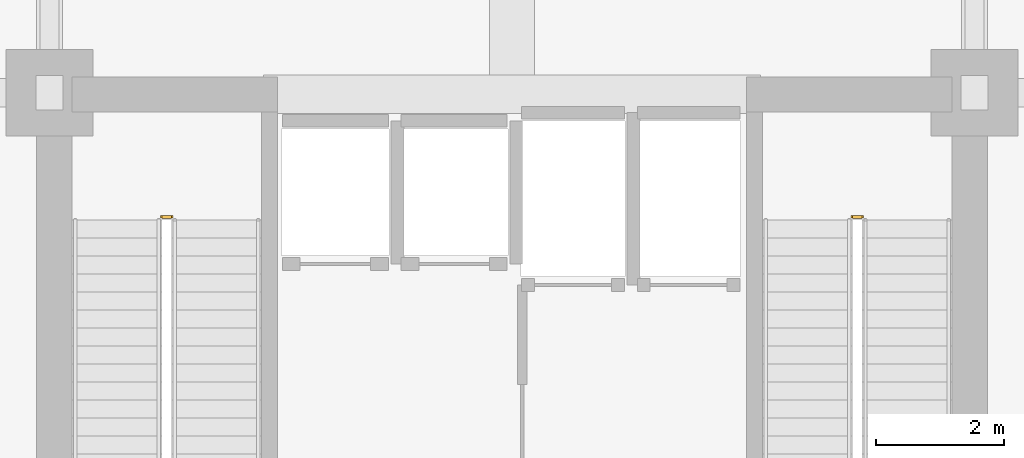
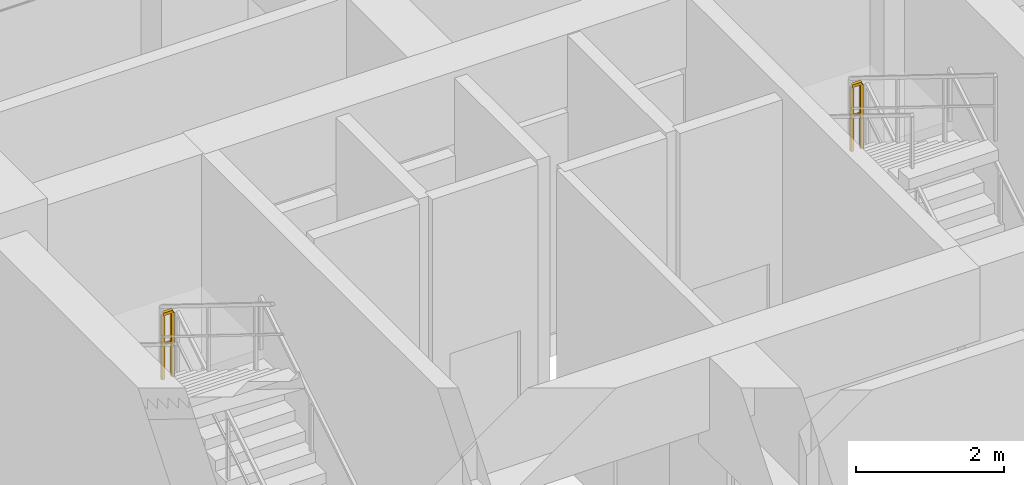
# One storey, part 8 of 8: 2 railings.
"""IFC4 building model written with IfcOpenShell, lengths in metres."""

from ifc_helpers import new_model, si_unit, direction, frame, origin, origin_2d, place, context, subcontext, project, spatial, rectangle, extrude, material, type_object, element, save


model = new_model("IFC4")

# Units and contexts
model_context = context("Model", 3, precision=1e-05, world=origin(), true_north=direction((0.0, 1.0)))
body_context = subcontext(model_context, "Body", "Model", "MODEL_VIEW")
ifc_project = project(units=[si_unit("LENGTHUNIT", "METRE"), si_unit("AREAUNIT", "SQUARE_METRE"), si_unit("VOLUMEUNIT", "CUBIC_METRE"), si_unit("PLANEANGLEUNIT", "RADIAN"), si_unit("MASSUNIT", "GRAM", prefix="KILO")], contexts=[model_context])

# Site, building, storey
site_placement = place(None, origin())
site = spatial("IfcSite", under=ifc_project, at=site_placement, CompositionType="ELEMENT")
building_placement = place(site_placement, origin())
building = spatial("IfcBuilding", under=site, at=building_placement, Name="Kaliganga Portal Commons", CompositionType="ELEMENT")
storey_placement = place(building_placement, frame((0.0, 0.0, 73.39990234375)))
storey = spatial("IfcBuildingStorey", under=building, at=storey_placement, Name="L18", CompositionType="ELEMENT", Elevation=73.39990234375)

# Railings
ifc_material = material(Name="Galvanized Painted Steel Balustrade", Category="steel")
railing_type = type_object("IfcRailingType", Name="RLG-STAIR-GRD", PredefinedType="GUARDRAIL", material=ifc_material)
for number, where, name in (
    (1, (16.300048828125, 34.219970703125, 2.60009765625), "L18 ST-A1 stair guard 2"),
    (2, (27.050048828125, 34.219970703125, 2.60009765625), "L18 ST-A2 stair guard 2"),
):
    element("IfcRailing", number, at=place(storey_placement, frame(where)), inside=storey, type_object=railing_type, Name=name, PredefinedType="GUARDRAIL", context=body_context, shape_type="SweptSolid", body=[
        extrude(rectangle(XDim=0.048095703125, YDim=0.048095703125, at=origin_2d()), frame((0.0, 0.0, 1.076171875), z_axis=(-1.0, 0.0, 0.0), x_axis=(0.0, -1.0, 0.0)), (0.0, 0.0, 1.0), 0.150146484375),
        extrude(rectangle(XDim=0.028076171875, YDim=0.028076171875, at=origin_2d()), frame((0.0, 0.0, 0.572021484375), z_axis=(-1.0, 0.0, 0.0), x_axis=(0.0, -1.0, 0.0)), (0.0, 0.0, 1.0), 0.150146484375),
        extrude(rectangle(XDim=0.0419921875, YDim=0.0419921875, at=origin_2d()), origin(), (0.0, 0.0, 1.0), 1.052001953125),
        extrude(rectangle(XDim=0.0419921875, YDim=0.0419921875, at=origin_2d()), frame((-0.150146484375, 0.0, 0.0)), (0.0, 0.0, 1.0), 1.052001953125),
    ])

save(model, "model.ifc")
